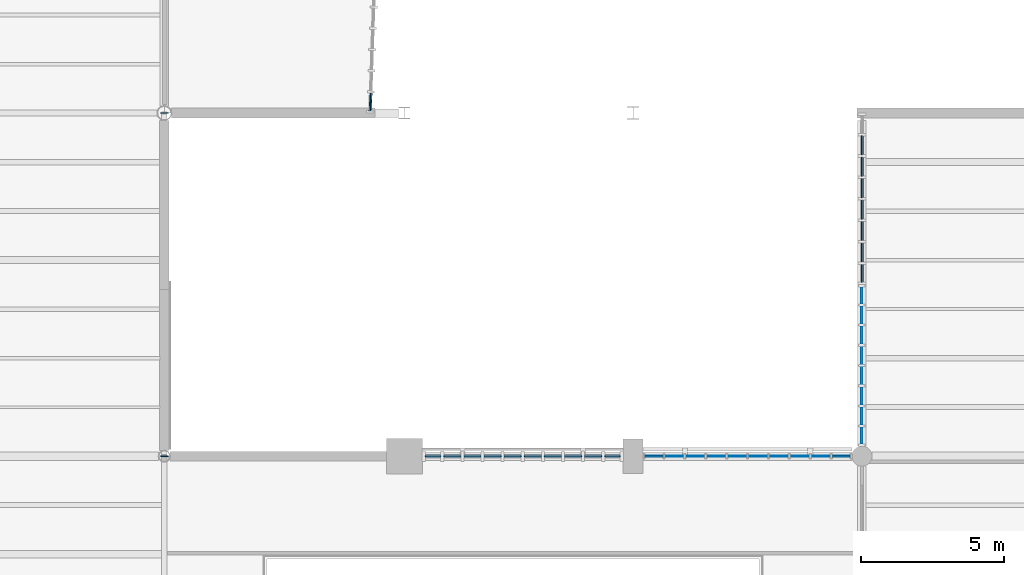
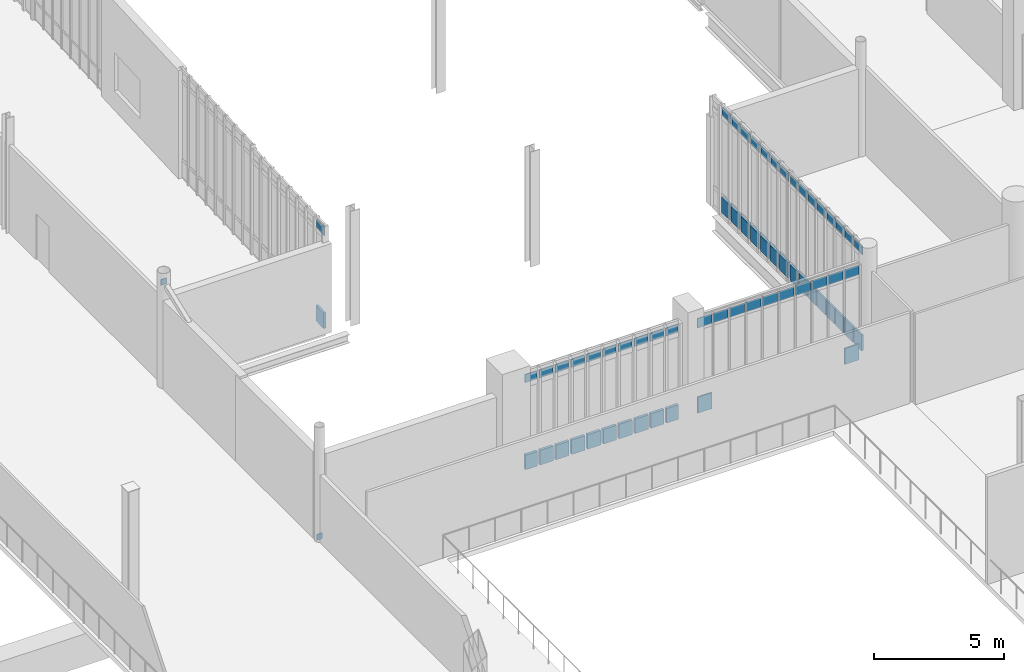
# One storey, part 92 of 127: 66 plates, 5 elements without a shape of their own.
"""IFC4 building model written with IfcOpenShell, lengths in metres."""

from ifc_helpers import new_model, si_unit, direction, frame, origin, origin_2d, place, context, subcontext, project, spatial, rectangle, extrude, material, layer, layer_set, type_object, element, aggregate, save


model = new_model("IFC4")

# Units and contexts
model_context = context("Model", 3, precision=1e-05, world=origin(), true_north=direction((0.0, 1.0)))
body_context = subcontext(model_context, "Body", "Model", "MODEL_VIEW")
ifc_project = project(units=[si_unit("LENGTHUNIT", "METRE"), si_unit("AREAUNIT", "SQUARE_METRE"), si_unit("VOLUMEUNIT", "CUBIC_METRE"), si_unit("PLANEANGLEUNIT", "RADIAN"), si_unit("MASSUNIT", "GRAM", prefix="KILO")], contexts=[model_context])

# Site, building, storey
site_placement = place(None, origin())
site = spatial("IfcSite", under=ifc_project, at=site_placement, CompositionType="ELEMENT")
building_placement = place(site_placement, origin())
building = spatial("IfcBuilding", under=site, at=building_placement, Name="Larkvane Passage Sports Hall", CompositionType="ELEMENT")
storey_placement = place(building_placement, frame((0.0, 0.0, 5.39990234375)))
storey = spatial("IfcBuildingStorey", under=building, at=storey_placement, Name="L01", CompositionType="ELEMENT", Elevation=5.39990234375)

# Curtain wall, plate
ifc_material_1 = material(Name="Thermally broken aluminium and low-E glazing", Category="aluminium")
curtain_wall_type_1 = type_object("IfcCurtainWallType", Name="CW-STICK-FOYER", PredefinedType="USERDEFINED", material=ifc_material_1)
curtain_wall_1_placement = place(storey_placement, origin())
curtain_wall_1 = element("IfcCurtainWall", 1, at=curtain_wall_1_placement, inside=storey, type_object=curtain_wall_type_1, Name="Curtain wall CW5-L01-046", ObjectType="STICK CURTAIN WALL", PredefinedType="USERDEFINED")
ifc_material_2 = material(Name="Fire-stopped shadow-box spandrel panel")
ifc_layer_1 = layer(ifc_material_2, 0.10498046875)
ifc_layer_set_1 = layer_set([ifc_layer_1], Name="Fire-stopped shadow-box spandrel panel")
plate_type_1 = type_object("IfcPlateType", Name="CWP-SPD-105", PredefinedType="CURTAIN_PANEL", material=ifc_layer_set_1)
plate_1_placement = place(storey_placement, frame((100.813232421875, 63.99072265625, 0.080078125), z_axis=(0.0, 0.0, 1.0), x_axis=(-0.033688920742, -0.999432367206, 0.0)))
plate_1 = element("IfcPlate", 2, at=plate_1_placement, type_object=plate_type_1, Name="CW-03 panel 8.1", PredefinedType="CURTAIN_PANEL", context=body_context, shape_type="SweptSolid", body=[
    extrude(rectangle(XDim=0.6220703125, YDim=0.10498046875, at=origin_2d()), origin(), (0.0, 0.0, 1.0), 0.72998046875),
])

# Curtain wall, plates
curtain_wall_2_placement = place(storey_placement, origin())
curtain_wall_2 = element("IfcCurtainWall", 3, at=curtain_wall_2_placement, inside=storey, type_object=curtain_wall_type_1, Name="Curtain wall CW5-L01-050", ObjectType="STICK CURTAIN WALL", PredefinedType="USERDEFINED")
plate_2_placement = place(storey_placement, frame((118.0, 57.99755859375, 0.08984375), z_axis=(0.0, 0.0, 1.0), x_axis=(0.0, 1.0, 0.0)))
plate_2 = element("IfcPlate", 4, at=plate_2_placement, type_object=plate_type_1, Name="CW-03 panel 1.1", PredefinedType="CURTAIN_PANEL", context=body_context, shape_type="SweptSolid", body=[
    extrude(rectangle(XDim=0.614990234375, YDim=0.10498046875, at=origin_2d()), origin(), (0.0, 0.0, 1.0), 0.715087890625),
])
plate_3_placement = place(storey_placement, frame((118.0, 58.72509765625, 0.08984375), z_axis=(0.0, 0.0, 1.0), x_axis=(0.0, 1.0, 0.0)))
plate_3 = element("IfcPlate", 5, at=plate_3_placement, type_object=plate_type_1, Name="CW-03 panel 2.1", PredefinedType="CURTAIN_PANEL", context=body_context, shape_type="SweptSolid", body=[
    extrude(rectangle(XDim=0.659912109375, YDim=0.10498046875, at=origin_2d()), origin(), (0.0, 0.0, 1.0), 0.715087890625),
])
plate_4_placement = place(storey_placement, frame((118.0, 59.47509765625, 0.08984375), z_axis=(0.0, 0.0, 1.0), x_axis=(0.0, 1.0, 0.0)))
plate_4 = element("IfcPlate", 6, at=plate_4_placement, type_object=plate_type_1, Name="CW-03 panel 3.1", PredefinedType="CURTAIN_PANEL", context=body_context, shape_type="SweptSolid", body=[
    extrude(rectangle(XDim=0.659912109375, YDim=0.10498046875, at=origin_2d()), origin(), (0.0, 0.0, 1.0), 0.715087890625),
])
plate_5_placement = place(storey_placement, frame((118.0, 60.22509765625, 0.08984375), z_axis=(0.0, 0.0, 1.0), x_axis=(0.0, 1.0, 0.0)))
plate_5 = element("IfcPlate", 7, at=plate_5_placement, type_object=plate_type_1, Name="CW-03 panel 4.1", PredefinedType="CURTAIN_PANEL", context=body_context, shape_type="SweptSolid", body=[
    extrude(rectangle(XDim=0.659912109375, YDim=0.10498046875, at=origin_2d()), origin(), (0.0, 0.0, 1.0), 0.715087890625),
])
plate_6_placement = place(storey_placement, frame((118.0, 60.97509765625, 0.08984375), z_axis=(0.0, 0.0, 1.0), x_axis=(0.0, 1.0, 0.0)))
plate_6 = element("IfcPlate", 8, at=plate_6_placement, type_object=plate_type_1, Name="CW-03 panel 5.1", PredefinedType="CURTAIN_PANEL", context=body_context, shape_type="SweptSolid", body=[
    extrude(rectangle(XDim=0.659912109375, YDim=0.10498046875, at=origin_2d()), origin(), (0.0, 0.0, 1.0), 0.715087890625),
])
plate_7_placement = place(storey_placement, frame((118.0, 61.72509765625, 0.08984375), z_axis=(0.0, 0.0, 1.0), x_axis=(0.0, 1.0, 0.0)))
plate_7 = element("IfcPlate", 9, at=plate_7_placement, type_object=plate_type_1, Name="CW-03 panel 6.1", PredefinedType="CURTAIN_PANEL", context=body_context, shape_type="SweptSolid", body=[
    extrude(rectangle(XDim=0.659912109375, YDim=0.10498046875, at=origin_2d()), origin(), (0.0, 0.0, 1.0), 0.715087890625),
])
plate_8_placement = place(storey_placement, frame((118.0, 62.47509765625, 0.08984375), z_axis=(0.0, 0.0, 1.0), x_axis=(0.0, 1.0, 0.0)))
plate_8 = element("IfcPlate", 10, at=plate_8_placement, type_object=plate_type_1, Name="CW-03 panel 7.1", PredefinedType="CURTAIN_PANEL", context=body_context, shape_type="SweptSolid", body=[
    extrude(rectangle(XDim=0.659912109375, YDim=0.10498046875, at=origin_2d()), origin(), (0.0, 0.0, 1.0), 0.715087890625),
])

curtain_wall_type_2 = type_object("IfcCurtainWallType", Name="CW-CLINIC", PredefinedType="USERDEFINED", material=ifc_material_1)
curtain_wall_3_placement = place(storey_placement, origin())
curtain_wall_3 = element("IfcCurtainWall", 11, at=curtain_wall_3_placement, inside=storey, type_object=curtain_wall_type_2, Name="Curtain wall CW5-L01-047", ObjectType="UNITISED CURTAIN WALL", PredefinedType="USERDEFINED")
ifc_material_3 = material(Name="Deep insulated facade spandrel panel")
ifc_layer_2 = layer(ifc_material_3, 0.125)
ifc_layer_set_2 = layer_set([ifc_layer_2], Name="Deep insulated facade spandrel panel")
plate_type_2 = type_object("IfcPlateType", Name="CWP-SPD-125", PredefinedType="CURTAIN_PANEL", material=ifc_layer_set_2)
plate_9_placement = place(storey_placement, frame((103.000244140625, 51.60009765625, 0.110107421875), z_axis=(0.0, 0.0, 1.0), x_axis=(1.0, 0.0, 0.0)))
plate_9 = element("IfcPlate", 12, at=plate_9_placement, type_object=plate_type_2, Name="CW-05 panel 1.1", PredefinedType="CURTAIN_PANEL", context=body_context, shape_type="SweptSolid", body=[
    extrude(rectangle(XDim=0.538330078125, YDim=0.125, at=origin_2d()), origin(), (0.0, 0.0, 1.0), 0.68505859375),
])
plate_10_placement = place(storey_placement, frame((103.676025390625, 51.60009765625, 0.110107421875), z_axis=(0.0, 0.0, 1.0), x_axis=(1.0, 0.0, 0.0)))
plate_10 = element("IfcPlate", 13, at=plate_10_placement, type_object=plate_type_2, Name="CW-05 panel 2.1", PredefinedType="CURTAIN_PANEL", context=body_context, shape_type="SweptSolid", body=[
    extrude(rectangle(XDim=0.59326171875, YDim=0.125, at=origin_2d()), origin(), (0.0, 0.0, 1.0), 0.68505859375),
])
plate_11_placement = place(storey_placement, frame((104.379150390625, 51.60009765625, 0.110107421875), z_axis=(0.0, 0.0, 1.0), x_axis=(1.0, 0.0, 0.0)))
plate_11 = element("IfcPlate", 14, at=plate_11_placement, type_object=plate_type_2, Name="CW-05 panel 3.1", PredefinedType="CURTAIN_PANEL", context=body_context, shape_type="SweptSolid", body=[
    extrude(rectangle(XDim=0.59326171875, YDim=0.125, at=origin_2d()), origin(), (0.0, 0.0, 1.0), 0.68505859375),
])
plate_12_placement = place(storey_placement, frame((105.08251953125, 51.60009765625, 0.110107421875), z_axis=(0.0, 0.0, 1.0), x_axis=(1.0, 0.0, 0.0)))
plate_12 = element("IfcPlate", 15, at=plate_12_placement, type_object=plate_type_2, Name="CW-05 panel 4.1", PredefinedType="CURTAIN_PANEL", context=body_context, shape_type="SweptSolid", body=[
    extrude(rectangle(XDim=0.59326171875, YDim=0.125, at=origin_2d()), origin(), (0.0, 0.0, 1.0), 0.68505859375),
])
plate_13_placement = place(storey_placement, frame((105.785888671875, 51.60009765625, 0.110107421875), z_axis=(0.0, 0.0, 1.0), x_axis=(1.0, 0.0, 0.0)))
plate_13 = element("IfcPlate", 16, at=plate_13_placement, type_object=plate_type_2, Name="CW-05 panel 5.1", PredefinedType="CURTAIN_PANEL", context=body_context, shape_type="SweptSolid", body=[
    extrude(rectangle(XDim=0.59326171875, YDim=0.125, at=origin_2d()), origin(), (0.0, 0.0, 1.0), 0.68505859375),
])
plate_14_placement = place(storey_placement, frame((106.4892578125, 51.60009765625, 0.110107421875), z_axis=(0.0, 0.0, 1.0), x_axis=(1.0, 0.0, 0.0)))
plate_14 = element("IfcPlate", 17, at=plate_14_placement, type_object=plate_type_2, Name="CW-05 panel 6.1", PredefinedType="CURTAIN_PANEL", context=body_context, shape_type="SweptSolid", body=[
    extrude(rectangle(XDim=0.59326171875, YDim=0.125, at=origin_2d()), origin(), (0.0, 0.0, 1.0), 0.68505859375),
])
plate_15_placement = place(storey_placement, frame((107.1923828125, 51.60009765625, 0.110107421875), z_axis=(0.0, 0.0, 1.0), x_axis=(1.0, 0.0, 0.0)))
plate_15 = element("IfcPlate", 18, at=plate_15_placement, type_object=plate_type_2, Name="CW-05 panel 7.1", PredefinedType="CURTAIN_PANEL", context=body_context, shape_type="SweptSolid", body=[
    extrude(rectangle(XDim=0.59326171875, YDim=0.125, at=origin_2d()), origin(), (0.0, 0.0, 1.0), 0.68505859375),
])
plate_16_placement = place(storey_placement, frame((107.895751953125, 51.60009765625, 0.110107421875), z_axis=(0.0, 0.0, 1.0), x_axis=(1.0, 0.0, 0.0)))
plate_16 = element("IfcPlate", 19, at=plate_16_placement, type_object=plate_type_2, Name="CW-05 panel 8.1", PredefinedType="CURTAIN_PANEL", context=body_context, shape_type="SweptSolid", body=[
    extrude(rectangle(XDim=0.59326171875, YDim=0.125, at=origin_2d()), origin(), (0.0, 0.0, 1.0), 0.68505859375),
])
plate_17_placement = place(storey_placement, frame((108.59912109375, 51.60009765625, 0.110107421875), z_axis=(0.0, 0.0, 1.0), x_axis=(1.0, 0.0, 0.0)))
plate_17 = element("IfcPlate", 20, at=plate_17_placement, type_object=plate_type_2, Name="CW-05 panel 9.1", PredefinedType="CURTAIN_PANEL", context=body_context, shape_type="SweptSolid", body=[
    extrude(rectangle(XDim=0.59326171875, YDim=0.125, at=origin_2d()), origin(), (0.0, 0.0, 1.0), 0.68505859375),
])
plate_18_placement = place(storey_placement, frame((109.27490234375, 51.60009765625, 0.110107421875), z_axis=(0.0, 0.0, 1.0), x_axis=(1.0, 0.0, 0.0)))
plate_18 = element("IfcPlate", 21, at=plate_18_placement, type_object=plate_type_2, Name="CW-05 panel 10.1", PredefinedType="CURTAIN_PANEL", context=body_context, shape_type="SweptSolid", body=[
    extrude(rectangle(XDim=0.538330078125, YDim=0.125, at=origin_2d()), origin(), (0.0, 0.0, 1.0), 0.68505859375),
])

curtain_wall_type_3 = type_object("IfcCurtainWallType", Name="CW-UNIT-COURT", PredefinedType="USERDEFINED", material=ifc_material_1)
curtain_wall_4_placement = place(storey_placement, origin())
curtain_wall_4 = element("IfcCurtainWall", 22, at=curtain_wall_4_placement, inside=storey, type_object=curtain_wall_type_3, Name="Curtain wall CW5-L01-048", ObjectType="UNITISED CURTAIN WALL", PredefinedType="USERDEFINED")
ifc_material_4 = material(Name="Insulated aluminium spandrel panel", Category="aluminium")
ifc_layer_3 = layer(ifc_material_4, 0.06494140625)
ifc_layer_set_3 = layer_set([ifc_layer_3], Name="Insulated aluminium spandrel panel")
plate_type_3 = type_object("IfcPlateType", Name="CWP-SPD-65", PredefinedType="CURTAIN_PANEL", material=ifc_layer_set_3)
plate_19_placement = place(storey_placement, frame((110.7275390625, 51.60009765625, 0.065185546875), z_axis=(0.0, 0.0, 1.0), x_axis=(1.0, 0.0, 0.0)))
plate_19 = element("IfcPlate", 23, at=plate_19_placement, type_object=plate_type_3, Name="CW-01 panel 1.1", PredefinedType="CURTAIN_PANEL", context=body_context, shape_type="SweptSolid", body=[
    extrude(rectangle(XDim=0.63330078125, YDim=0.06494140625, at=origin_2d()), origin(), (0.0, 0.0, 1.0), 0.75244140625),
])
plate_20_placement = place(storey_placement, frame((117.2724609375, 51.60009765625, 0.065185546875), z_axis=(0.0, 0.0, 1.0), x_axis=(1.0, 0.0, 0.0)))
plate_20 = element("IfcPlate", 24, at=plate_20_placement, type_object=plate_type_3, Name="CW-01 panel 10.1", PredefinedType="CURTAIN_PANEL", context=body_context, shape_type="SweptSolid", body=[
    extrude(rectangle(XDim=0.63330078125, YDim=0.06494140625, at=origin_2d()), origin(), (0.0, 0.0, 1.0), 0.75244140625),
])

curtain_wall_type_4 = type_object("IfcCurtainWallType", Name="CW-UNIT-VEIL", PredefinedType="USERDEFINED", material=ifc_material_1)
curtain_wall_5_placement = place(storey_placement, origin())
curtain_wall_5 = element("IfcCurtainWall", 25, at=curtain_wall_5_placement, inside=storey, type_object=curtain_wall_type_4, Name="Curtain wall CW5-L01-049", ObjectType="UNITISED CURTAIN WALL", PredefinedType="USERDEFINED")
ifc_material_5 = material(Name="Mineral-wool insulated spandrel cassette")
ifc_layer_4 = layer(ifc_material_5, 0.0849609375)
ifc_layer_set_4 = layer_set([ifc_layer_4], Name="Mineral-wool insulated spandrel cassette")
plate_type_4 = type_object("IfcPlateType", Name="CWP-SPD-85", PredefinedType="CURTAIN_PANEL", material=ifc_layer_set_4)
plate_21_placement = place(storey_placement, frame((118.0, 52.318115234375, 0.0751953125), z_axis=(0.0, 0.0, 1.0), x_axis=(0.0, 1.0, 0.0)))
plate_21 = element("IfcPlate", 26, at=plate_21_placement, type_object=plate_type_4, Name="CW-02 panel 1.1", PredefinedType="CURTAIN_PANEL", context=body_context, shape_type="SweptSolid", body=[
    extrude(rectangle(XDim=0.59423828125, YDim=0.0849609375, at=origin_2d()), origin(), (0.0, 0.0, 1.0), 0.737548828125),
])
plate_22_placement = place(storey_placement, frame((118.0, 53.006103515625, 0.0751953125), z_axis=(0.0, 0.0, 1.0), x_axis=(0.0, 1.0, 0.0)))
plate_22 = element("IfcPlate", 27, at=plate_22_placement, type_object=plate_type_4, Name="CW-02 panel 2.1", PredefinedType="CURTAIN_PANEL", context=body_context, shape_type="SweptSolid", body=[
    extrude(rectangle(XDim=0.6318359375, YDim=0.0849609375, at=origin_2d()), origin(), (0.0, 0.0, 1.0), 0.737548828125),
])
plate_23_placement = place(storey_placement, frame((118.0, 53.712890625, 0.0751953125), z_axis=(0.0, 0.0, 1.0), x_axis=(0.0, 1.0, 0.0)))
plate_23 = element("IfcPlate", 28, at=plate_23_placement, type_object=plate_type_4, Name="CW-02 panel 3.1", PredefinedType="CURTAIN_PANEL", context=body_context, shape_type="SweptSolid", body=[
    extrude(rectangle(XDim=0.6318359375, YDim=0.0849609375, at=origin_2d()), origin(), (0.0, 0.0, 1.0), 0.737548828125),
])
plate_24_placement = place(storey_placement, frame((118.0, 54.419677734375, 0.0751953125), z_axis=(0.0, 0.0, 1.0), x_axis=(0.0, 1.0, 0.0)))
plate_24 = element("IfcPlate", 29, at=plate_24_placement, type_object=plate_type_4, Name="CW-02 panel 4.1", PredefinedType="CURTAIN_PANEL", context=body_context, shape_type="SweptSolid", body=[
    extrude(rectangle(XDim=0.6318359375, YDim=0.0849609375, at=origin_2d()), origin(), (0.0, 0.0, 1.0), 0.737548828125),
])
plate_25_placement = place(storey_placement, frame((118.0, 55.12646484375, 0.0751953125), z_axis=(0.0, 0.0, 1.0), x_axis=(0.0, 1.0, 0.0)))
plate_25 = element("IfcPlate", 30, at=plate_25_placement, type_object=plate_type_4, Name="CW-02 panel 5.1", PredefinedType="CURTAIN_PANEL", context=body_context, shape_type="SweptSolid", body=[
    extrude(rectangle(XDim=0.6318359375, YDim=0.0849609375, at=origin_2d()), origin(), (0.0, 0.0, 1.0), 0.737548828125),
])
plate_26_placement = place(storey_placement, frame((118.0, 55.8330078125, 0.0751953125), z_axis=(0.0, 0.0, 1.0), x_axis=(0.0, 1.0, 0.0)))
plate_26 = element("IfcPlate", 31, at=plate_26_placement, type_object=plate_type_4, Name="CW-02 panel 6.1", PredefinedType="CURTAIN_PANEL", context=body_context, shape_type="SweptSolid", body=[
    extrude(rectangle(XDim=0.6318359375, YDim=0.0849609375, at=origin_2d()), origin(), (0.0, 0.0, 1.0), 0.737548828125),
])
plate_27_placement = place(storey_placement, frame((118.0, 56.539794921875, 0.0751953125), z_axis=(0.0, 0.0, 1.0), x_axis=(0.0, 1.0, 0.0)))
plate_27 = element("IfcPlate", 32, at=plate_27_placement, type_object=plate_type_4, Name="CW-02 panel 7.1", PredefinedType="CURTAIN_PANEL", context=body_context, shape_type="SweptSolid", body=[
    extrude(rectangle(XDim=0.6318359375, YDim=0.0849609375, at=origin_2d()), origin(), (0.0, 0.0, 1.0), 0.737548828125),
])
plate_28_placement = place(storey_placement, frame((118.0, 57.227783203125, 0.0751953125), z_axis=(0.0, 0.0, 1.0), x_axis=(0.0, 1.0, 0.0)))
plate_28 = element("IfcPlate", 33, at=plate_28_placement, type_object=plate_type_4, Name="CW-02 panel 8.1", PredefinedType="CURTAIN_PANEL", context=body_context, shape_type="SweptSolid", body=[
    extrude(rectangle(XDim=0.59423828125, YDim=0.0849609375, at=origin_2d()), origin(), (0.0, 0.0, 1.0), 0.737548828125),
])

# Plate
ifc_material_6 = material(Name="Solar-control low-E double glazing", Category="glass")
ifc_layer_5 = layer(ifc_material_6, 0.028076171875)
ifc_layer_set_5 = layer_set([ifc_layer_5], Name="Solar-control low-E double glazing")
plate_type_5 = type_object("IfcPlateType", Name="CWP-VIS-28", PredefinedType="CURTAIN_PANEL", material=ifc_layer_set_5)
plate_29_placement = place(storey_placement, frame((110.7275390625, 51.60009765625, 4.060546875), z_axis=(0.0, 0.0, 1.0), x_axis=(1.0, 0.0, 0.0)))
plate_29 = element("IfcPlate", 34, at=plate_29_placement, type_object=plate_type_5, Name="CW-01 panel 1.3", PredefinedType="CURTAIN_PANEL", context=body_context, shape_type="SweptSolid", body=[
    extrude(rectangle(XDim=0.63330078125, YDim=0.028076171875, at=origin_2d()), origin(), (0.0, 0.0, 1.0), 0.452392578125),
])

plate_30_placement = place(storey_placement, frame((111.442138671875, 51.60009765625, 4.060546875), z_axis=(0.0, 0.0, 1.0), x_axis=(1.0, 0.0, 0.0)))
plate_30 = element("IfcPlate", 35, at=plate_30_placement, type_object=plate_type_5, Name="CW-01 panel 2.3", PredefinedType="CURTAIN_PANEL", context=body_context, shape_type="SweptSolid", body=[
    extrude(rectangle(XDim=0.665771484375, YDim=0.028076171875, at=origin_2d()), origin(), (0.0, 0.0, 1.0), 0.452392578125),
])

plate_31_placement = place(storey_placement, frame((112.173095703125, 51.60009765625, 4.060546875), z_axis=(0.0, 0.0, 1.0), x_axis=(1.0, 0.0, 0.0)))
plate_31 = element("IfcPlate", 36, at=plate_31_placement, type_object=plate_type_5, Name="CW-01 panel 3.3", PredefinedType="CURTAIN_PANEL", context=body_context, shape_type="SweptSolid", body=[
    extrude(rectangle(XDim=0.665771484375, YDim=0.028076171875, at=origin_2d()), origin(), (0.0, 0.0, 1.0), 0.452392578125),
])

plate_32_placement = place(storey_placement, frame((112.90380859375, 51.60009765625, 4.060546875), z_axis=(0.0, 0.0, 1.0), x_axis=(1.0, 0.0, 0.0)))
plate_32 = element("IfcPlate", 37, at=plate_32_placement, type_object=plate_type_5, Name="CW-01 panel 4.3", PredefinedType="CURTAIN_PANEL", context=body_context, shape_type="SweptSolid", body=[
    extrude(rectangle(XDim=0.665771484375, YDim=0.028076171875, at=origin_2d()), origin(), (0.0, 0.0, 1.0), 0.452392578125),
])

plate_33_placement = place(storey_placement, frame((113.634521484375, 51.60009765625, 4.060546875), z_axis=(0.0, 0.0, 1.0), x_axis=(1.0, 0.0, 0.0)))
plate_33 = element("IfcPlate", 38, at=plate_33_placement, type_object=plate_type_5, Name="CW-01 panel 5.3", PredefinedType="CURTAIN_PANEL", context=body_context, shape_type="SweptSolid", body=[
    extrude(rectangle(XDim=0.665771484375, YDim=0.028076171875, at=origin_2d()), origin(), (0.0, 0.0, 1.0), 0.452392578125),
])

plate_34_placement = place(storey_placement, frame((114.365478515625, 51.60009765625, 4.060546875), z_axis=(0.0, 0.0, 1.0), x_axis=(1.0, 0.0, 0.0)))
plate_34 = element("IfcPlate", 39, at=plate_34_placement, type_object=plate_type_5, Name="CW-01 panel 6.3", PredefinedType="CURTAIN_PANEL", context=body_context, shape_type="SweptSolid", body=[
    extrude(rectangle(XDim=0.665771484375, YDim=0.028076171875, at=origin_2d()), origin(), (0.0, 0.0, 1.0), 0.452392578125),
])

plate_35_placement = place(storey_placement, frame((115.09619140625, 51.60009765625, 4.060546875), z_axis=(0.0, 0.0, 1.0), x_axis=(1.0, 0.0, 0.0)))
plate_35 = element("IfcPlate", 40, at=plate_35_placement, type_object=plate_type_5, Name="CW-01 panel 7.3", PredefinedType="CURTAIN_PANEL", context=body_context, shape_type="SweptSolid", body=[
    extrude(rectangle(XDim=0.665771484375, YDim=0.028076171875, at=origin_2d()), origin(), (0.0, 0.0, 1.0), 0.452392578125),
])

plate_36_placement = place(storey_placement, frame((115.826904296875, 51.60009765625, 4.060546875), z_axis=(0.0, 0.0, 1.0), x_axis=(1.0, 0.0, 0.0)))
plate_36 = element("IfcPlate", 41, at=plate_36_placement, type_object=plate_type_5, Name="CW-01 panel 8.3", PredefinedType="CURTAIN_PANEL", context=body_context, shape_type="SweptSolid", body=[
    extrude(rectangle(XDim=0.665771484375, YDim=0.028076171875, at=origin_2d()), origin(), (0.0, 0.0, 1.0), 0.452392578125),
])

plate_37_placement = place(storey_placement, frame((116.557861328125, 51.60009765625, 4.060546875), z_axis=(0.0, 0.0, 1.0), x_axis=(1.0, 0.0, 0.0)))
plate_37 = element("IfcPlate", 42, at=plate_37_placement, type_object=plate_type_5, Name="CW-01 panel 9.3", PredefinedType="CURTAIN_PANEL", context=body_context, shape_type="SweptSolid", body=[
    extrude(rectangle(XDim=0.665771484375, YDim=0.028076171875, at=origin_2d()), origin(), (0.0, 0.0, 1.0), 0.452392578125),
])

plate_38_placement = place(storey_placement, frame((117.2724609375, 51.60009765625, 4.060546875), z_axis=(0.0, 0.0, 1.0), x_axis=(1.0, 0.0, 0.0)))
plate_38 = element("IfcPlate", 43, at=plate_38_placement, type_object=plate_type_5, Name="CW-01 panel 10.3", PredefinedType="CURTAIN_PANEL", context=body_context, shape_type="SweptSolid", body=[
    extrude(rectangle(XDim=0.63330078125, YDim=0.028076171875, at=origin_2d()), origin(), (0.0, 0.0, 1.0), 0.452392578125),
])

aggregate(curtain_wall_4, [plate_19, plate_29, plate_30, plate_31, plate_32, plate_33, plate_34, plate_35, plate_36, plate_37, plate_20, plate_38])

ifc_material_7 = material(Name="Laminated acoustic low-E glazing", Category="glass")
ifc_layer_6 = layer(ifc_material_7, 0.031982421875)
ifc_layer_set_6 = layer_set([ifc_layer_6], Name="Laminated acoustic low-E glazing")
plate_type_6 = type_object("IfcPlateType", Name="CWP-VIS-32", PredefinedType="CURTAIN_PANEL", material=ifc_layer_set_6)
plate_39_placement = place(storey_placement, frame((118.0, 52.318115234375, 4.587646484375), z_axis=(0.0, 0.0, 1.0), x_axis=(0.0, 1.0, 0.0)))
plate_39 = element("IfcPlate", 44, at=plate_39_placement, type_object=plate_type_6, Name="CW-02 panel 1.3", PredefinedType="CURTAIN_PANEL", context=body_context, shape_type="SweptSolid", body=[
    extrude(rectangle(XDim=0.59423828125, YDim=0.031982421875, at=origin_2d()), origin(), (0.0, 0.0, 1.0), 0.4375),
])

plate_40_placement = place(storey_placement, frame((118.0, 53.006103515625, 4.587646484375), z_axis=(0.0, 0.0, 1.0), x_axis=(0.0, 1.0, 0.0)))
plate_40 = element("IfcPlate", 45, at=plate_40_placement, type_object=plate_type_6, Name="CW-02 panel 2.3", PredefinedType="CURTAIN_PANEL", context=body_context, shape_type="SweptSolid", body=[
    extrude(rectangle(XDim=0.6318359375, YDim=0.031982421875, at=origin_2d()), origin(), (0.0, 0.0, 1.0), 0.4375),
])

plate_41_placement = place(storey_placement, frame((118.0, 53.712890625, 4.587646484375), z_axis=(0.0, 0.0, 1.0), x_axis=(0.0, 1.0, 0.0)))
plate_41 = element("IfcPlate", 46, at=plate_41_placement, type_object=plate_type_6, Name="CW-02 panel 3.3", PredefinedType="CURTAIN_PANEL", context=body_context, shape_type="SweptSolid", body=[
    extrude(rectangle(XDim=0.6318359375, YDim=0.031982421875, at=origin_2d()), origin(), (0.0, 0.0, 1.0), 0.4375),
])

plate_42_placement = place(storey_placement, frame((118.0, 54.419677734375, 4.587646484375), z_axis=(0.0, 0.0, 1.0), x_axis=(0.0, 1.0, 0.0)))
plate_42 = element("IfcPlate", 47, at=plate_42_placement, type_object=plate_type_6, Name="CW-02 panel 4.3", PredefinedType="CURTAIN_PANEL", context=body_context, shape_type="SweptSolid", body=[
    extrude(rectangle(XDim=0.6318359375, YDim=0.031982421875, at=origin_2d()), origin(), (0.0, 0.0, 1.0), 0.4375),
])

plate_43_placement = place(storey_placement, frame((118.0, 55.12646484375, 4.587646484375), z_axis=(0.0, 0.0, 1.0), x_axis=(0.0, 1.0, 0.0)))
plate_43 = element("IfcPlate", 48, at=plate_43_placement, type_object=plate_type_6, Name="CW-02 panel 5.3", PredefinedType="CURTAIN_PANEL", context=body_context, shape_type="SweptSolid", body=[
    extrude(rectangle(XDim=0.6318359375, YDim=0.031982421875, at=origin_2d()), origin(), (0.0, 0.0, 1.0), 0.4375),
])

plate_44_placement = place(storey_placement, frame((118.0, 55.8330078125, 4.587646484375), z_axis=(0.0, 0.0, 1.0), x_axis=(0.0, 1.0, 0.0)))
plate_44 = element("IfcPlate", 49, at=plate_44_placement, type_object=plate_type_6, Name="CW-02 panel 6.3", PredefinedType="CURTAIN_PANEL", context=body_context, shape_type="SweptSolid", body=[
    extrude(rectangle(XDim=0.6318359375, YDim=0.031982421875, at=origin_2d()), origin(), (0.0, 0.0, 1.0), 0.4375),
])

plate_45_placement = place(storey_placement, frame((118.0, 56.539794921875, 4.587646484375), z_axis=(0.0, 0.0, 1.0), x_axis=(0.0, 1.0, 0.0)))
plate_45 = element("IfcPlate", 50, at=plate_45_placement, type_object=plate_type_6, Name="CW-02 panel 7.3", PredefinedType="CURTAIN_PANEL", context=body_context, shape_type="SweptSolid", body=[
    extrude(rectangle(XDim=0.6318359375, YDim=0.031982421875, at=origin_2d()), origin(), (0.0, 0.0, 1.0), 0.4375),
])

plate_46_placement = place(storey_placement, frame((118.0, 57.227783203125, 4.587646484375), z_axis=(0.0, 0.0, 1.0), x_axis=(0.0, 1.0, 0.0)))
plate_46 = element("IfcPlate", 51, at=plate_46_placement, type_object=plate_type_6, Name="CW-02 panel 8.3", PredefinedType="CURTAIN_PANEL", context=body_context, shape_type="SweptSolid", body=[
    extrude(rectangle(XDim=0.59423828125, YDim=0.031982421875, at=origin_2d()), origin(), (0.0, 0.0, 1.0), 0.4375),
])

aggregate(curtain_wall_5, [plate_21, plate_39, plate_22, plate_40, plate_23, plate_41, plate_24, plate_42, plate_25, plate_43, plate_26, plate_44, plate_27, plate_45, plate_28, plate_46])

ifc_material_8 = material(Name="High-impact court low-E glazing", Category="glass")
ifc_layer_7 = layer(ifc_material_8, 0.035888671875)
ifc_layer_set_7 = layer_set([ifc_layer_7], Name="High-impact court low-E glazing")
plate_type_7 = type_object("IfcPlateType", Name="CWP-VIS-36", PredefinedType="CURTAIN_PANEL", material=ifc_layer_set_7)
plate_47_placement = place(storey_placement, frame((100.813232421875, 63.99072265625, 4.42822265625), z_axis=(0.0, 0.0, 1.0), x_axis=(-0.033688920742, -0.999432367206, 0.0)))
plate_47 = element("IfcPlate", 52, at=plate_47_placement, type_object=plate_type_7, Name="CW-03 panel 8.3", PredefinedType="CURTAIN_PANEL", context=body_context, shape_type="SweptSolid", body=[
    extrude(rectangle(XDim=0.6220703125, YDim=0.035888671875, at=origin_2d()), origin(), (0.0, 0.0, 1.0), 0.429931640625),
])

aggregate(curtain_wall_1, [plate_1, plate_47])

plate_48_placement = place(storey_placement, frame((118.0, 57.99755859375, 4.594970703125), z_axis=(0.0, 0.0, 1.0), x_axis=(0.0, 1.0, 0.0)))
plate_48 = element("IfcPlate", 53, at=plate_48_placement, type_object=plate_type_7, Name="CW-03 panel 1.3", PredefinedType="CURTAIN_PANEL", context=body_context, shape_type="SweptSolid", body=[
    extrude(rectangle(XDim=0.614990234375, YDim=0.035888671875, at=origin_2d()), origin(), (0.0, 0.0, 1.0), 0.4150390625),
])

plate_49_placement = place(storey_placement, frame((118.0, 58.72509765625, 4.594970703125), z_axis=(0.0, 0.0, 1.0), x_axis=(0.0, 1.0, 0.0)))
plate_49 = element("IfcPlate", 54, at=plate_49_placement, type_object=plate_type_7, Name="CW-03 panel 2.3", PredefinedType="CURTAIN_PANEL", context=body_context, shape_type="SweptSolid", body=[
    extrude(rectangle(XDim=0.659912109375, YDim=0.035888671875, at=origin_2d()), origin(), (0.0, 0.0, 1.0), 0.4150390625),
])

plate_50_placement = place(storey_placement, frame((118.0, 59.47509765625, 4.594970703125), z_axis=(0.0, 0.0, 1.0), x_axis=(0.0, 1.0, 0.0)))
plate_50 = element("IfcPlate", 55, at=plate_50_placement, type_object=plate_type_7, Name="CW-03 panel 3.3", PredefinedType="CURTAIN_PANEL", context=body_context, shape_type="SweptSolid", body=[
    extrude(rectangle(XDim=0.659912109375, YDim=0.035888671875, at=origin_2d()), origin(), (0.0, 0.0, 1.0), 0.4150390625),
])

plate_51_placement = place(storey_placement, frame((118.0, 60.22509765625, 4.594970703125), z_axis=(0.0, 0.0, 1.0), x_axis=(0.0, 1.0, 0.0)))
plate_51 = element("IfcPlate", 56, at=plate_51_placement, type_object=plate_type_7, Name="CW-03 panel 4.3", PredefinedType="CURTAIN_PANEL", context=body_context, shape_type="SweptSolid", body=[
    extrude(rectangle(XDim=0.659912109375, YDim=0.035888671875, at=origin_2d()), origin(), (0.0, 0.0, 1.0), 0.4150390625),
])

plate_52_placement = place(storey_placement, frame((118.0, 60.97509765625, 4.594970703125), z_axis=(0.0, 0.0, 1.0), x_axis=(0.0, 1.0, 0.0)))
plate_52 = element("IfcPlate", 57, at=plate_52_placement, type_object=plate_type_7, Name="CW-03 panel 5.3", PredefinedType="CURTAIN_PANEL", context=body_context, shape_type="SweptSolid", body=[
    extrude(rectangle(XDim=0.659912109375, YDim=0.035888671875, at=origin_2d()), origin(), (0.0, 0.0, 1.0), 0.4150390625),
])

plate_53_placement = place(storey_placement, frame((118.0, 61.72509765625, 4.594970703125), z_axis=(0.0, 0.0, 1.0), x_axis=(0.0, 1.0, 0.0)))
plate_53 = element("IfcPlate", 58, at=plate_53_placement, type_object=plate_type_7, Name="CW-03 panel 6.3", PredefinedType="CURTAIN_PANEL", context=body_context, shape_type="SweptSolid", body=[
    extrude(rectangle(XDim=0.659912109375, YDim=0.035888671875, at=origin_2d()), origin(), (0.0, 0.0, 1.0), 0.4150390625),
])

plate_54_placement = place(storey_placement, frame((118.0, 62.47509765625, 4.594970703125), z_axis=(0.0, 0.0, 1.0), x_axis=(0.0, 1.0, 0.0)))
plate_54 = element("IfcPlate", 59, at=plate_54_placement, type_object=plate_type_7, Name="CW-03 panel 7.3", PredefinedType="CURTAIN_PANEL", context=body_context, shape_type="SweptSolid", body=[
    extrude(rectangle(XDim=0.659912109375, YDim=0.035888671875, at=origin_2d()), origin(), (0.0, 0.0, 1.0), 0.4150390625),
])

aggregate(curtain_wall_2, [plate_2, plate_48, plate_3, plate_49, plate_4, plate_50, plate_5, plate_51, plate_6, plate_52, plate_7, plate_53, plate_8, plate_54])

ifc_material_9 = material(Name="Triple-laminated typhoon glazing", Category="glass")
ifc_layer_8 = layer(ifc_material_9, 0.0419921875)
ifc_layer_set_8 = layer_set([ifc_layer_8], Name="Triple-laminated typhoon glazing")
plate_type_8 = type_object("IfcPlateType", Name="CWP-VIS-42", PredefinedType="CURTAIN_PANEL", material=ifc_layer_set_8)
plate_55_placement = place(storey_placement, frame((103.000244140625, 51.60009765625, 4.17919921875), z_axis=(0.0, 0.0, 1.0), x_axis=(1.0, 0.0, 0.0)))
plate_55 = element("IfcPlate", 60, at=plate_55_placement, type_object=plate_type_8, Name="CW-05 panel 1.3", PredefinedType="CURTAIN_PANEL", context=body_context, shape_type="SweptSolid", body=[
    extrude(rectangle(XDim=0.538330078125, YDim=0.0419921875, at=origin_2d()), origin(), (0.0, 0.0, 1.0), 0.385009765625),
])

plate_56_placement = place(storey_placement, frame((103.676025390625, 51.60009765625, 4.17919921875), z_axis=(0.0, 0.0, 1.0), x_axis=(1.0, 0.0, 0.0)))
plate_56 = element("IfcPlate", 61, at=plate_56_placement, type_object=plate_type_8, Name="CW-05 panel 2.3", PredefinedType="CURTAIN_PANEL", context=body_context, shape_type="SweptSolid", body=[
    extrude(rectangle(XDim=0.59326171875, YDim=0.0419921875, at=origin_2d()), origin(), (0.0, 0.0, 1.0), 0.385009765625),
])

plate_57_placement = place(storey_placement, frame((104.379150390625, 51.60009765625, 4.17919921875), z_axis=(0.0, 0.0, 1.0), x_axis=(1.0, 0.0, 0.0)))
plate_57 = element("IfcPlate", 62, at=plate_57_placement, type_object=plate_type_8, Name="CW-05 panel 3.3", PredefinedType="CURTAIN_PANEL", context=body_context, shape_type="SweptSolid", body=[
    extrude(rectangle(XDim=0.59326171875, YDim=0.0419921875, at=origin_2d()), origin(), (0.0, 0.0, 1.0), 0.385009765625),
])

plate_58_placement = place(storey_placement, frame((105.08251953125, 51.60009765625, 4.17919921875), z_axis=(0.0, 0.0, 1.0), x_axis=(1.0, 0.0, 0.0)))
plate_58 = element("IfcPlate", 63, at=plate_58_placement, type_object=plate_type_8, Name="CW-05 panel 4.3", PredefinedType="CURTAIN_PANEL", context=body_context, shape_type="SweptSolid", body=[
    extrude(rectangle(XDim=0.59326171875, YDim=0.0419921875, at=origin_2d()), origin(), (0.0, 0.0, 1.0), 0.385009765625),
])

plate_59_placement = place(storey_placement, frame((105.785888671875, 51.60009765625, 4.17919921875), z_axis=(0.0, 0.0, 1.0), x_axis=(1.0, 0.0, 0.0)))
plate_59 = element("IfcPlate", 64, at=plate_59_placement, type_object=plate_type_8, Name="CW-05 panel 5.3", PredefinedType="CURTAIN_PANEL", context=body_context, shape_type="SweptSolid", body=[
    extrude(rectangle(XDim=0.59326171875, YDim=0.0419921875, at=origin_2d()), origin(), (0.0, 0.0, 1.0), 0.385009765625),
])

plate_60_placement = place(storey_placement, frame((106.4892578125, 51.60009765625, 4.17919921875), z_axis=(0.0, 0.0, 1.0), x_axis=(1.0, 0.0, 0.0)))
plate_60 = element("IfcPlate", 65, at=plate_60_placement, type_object=plate_type_8, Name="CW-05 panel 6.3", PredefinedType="CURTAIN_PANEL", context=body_context, shape_type="SweptSolid", body=[
    extrude(rectangle(XDim=0.59326171875, YDim=0.0419921875, at=origin_2d()), origin(), (0.0, 0.0, 1.0), 0.385009765625),
])

plate_61_placement = place(storey_placement, frame((107.1923828125, 51.60009765625, 4.17919921875), z_axis=(0.0, 0.0, 1.0), x_axis=(1.0, 0.0, 0.0)))
plate_61 = element("IfcPlate", 66, at=plate_61_placement, type_object=plate_type_8, Name="CW-05 panel 7.3", PredefinedType="CURTAIN_PANEL", context=body_context, shape_type="SweptSolid", body=[
    extrude(rectangle(XDim=0.59326171875, YDim=0.0419921875, at=origin_2d()), origin(), (0.0, 0.0, 1.0), 0.385009765625),
])

plate_62_placement = place(storey_placement, frame((107.895751953125, 51.60009765625, 4.17919921875), z_axis=(0.0, 0.0, 1.0), x_axis=(1.0, 0.0, 0.0)))
plate_62 = element("IfcPlate", 67, at=plate_62_placement, type_object=plate_type_8, Name="CW-05 panel 8.3", PredefinedType="CURTAIN_PANEL", context=body_context, shape_type="SweptSolid", body=[
    extrude(rectangle(XDim=0.59326171875, YDim=0.0419921875, at=origin_2d()), origin(), (0.0, 0.0, 1.0), 0.385009765625),
])

plate_63_placement = place(storey_placement, frame((108.59912109375, 51.60009765625, 4.17919921875), z_axis=(0.0, 0.0, 1.0), x_axis=(1.0, 0.0, 0.0)))
plate_63 = element("IfcPlate", 68, at=plate_63_placement, type_object=plate_type_8, Name="CW-05 panel 9.3", PredefinedType="CURTAIN_PANEL", context=body_context, shape_type="SweptSolid", body=[
    extrude(rectangle(XDim=0.59326171875, YDim=0.0419921875, at=origin_2d()), origin(), (0.0, 0.0, 1.0), 0.385009765625),
])

plate_64_placement = place(storey_placement, frame((109.27490234375, 51.60009765625, 4.17919921875), z_axis=(0.0, 0.0, 1.0), x_axis=(1.0, 0.0, 0.0)))
plate_64 = element("IfcPlate", 69, at=plate_64_placement, type_object=plate_type_8, Name="CW-05 panel 10.3", PredefinedType="CURTAIN_PANEL", context=body_context, shape_type="SweptSolid", body=[
    extrude(rectangle(XDim=0.538330078125, YDim=0.0419921875, at=origin_2d()), origin(), (0.0, 0.0, 1.0), 0.385009765625),
])

aggregate(curtain_wall_3, [plate_9, plate_55, plate_10, plate_56, plate_11, plate_57, plate_12, plate_58, plate_13, plate_59, plate_14, plate_60, plate_15, plate_61, plate_16, plate_62, plate_17, plate_63, plate_18, plate_64])

# Plates
ifc_material_10 = material(Name="Steel S355JR", Category="steel")
ifc_layer_9 = layer(ifc_material_10, 0.011962890625)
ifc_layer_set_9 = layer_set([ifc_layer_9], Name="Steel S355JR")
plate_type_9 = type_object("IfcPlateType", Name="PLT-CAP-12", PredefinedType="SHEET", material=ifc_layer_set_9)
for number, where, z_axis, x_axis, name in (
    (70, (93.60009765625, 51.594482421875, 0.010498046875), (0.0, 0.0, 1.0), (-1.0, 0.0, 0.0), "Hollow section sealed end cap plate 0574"),
    (71, (93.60009765625, 63.605712890625, 4.71484375), (0.0, 0.0, 1.0), (-1.0, 0.0, 0.0), "Hollow section sealed end cap plate 0575"),
):
    element("IfcPlate", number, at=place(storey_placement, frame(where, z_axis=z_axis, x_axis=x_axis)), inside=storey, type_object=plate_type_9, Name=name, PredefinedType="SHEET", context=body_context, shape_type="SweptSolid", body=[
        extrude(rectangle(XDim=0.260009765625, YDim=0.028076171875, at=origin_2d()), origin(), (0.0, 0.0, 1.0), 0.27490234375),
    ])

save(model, "model.ifc")
